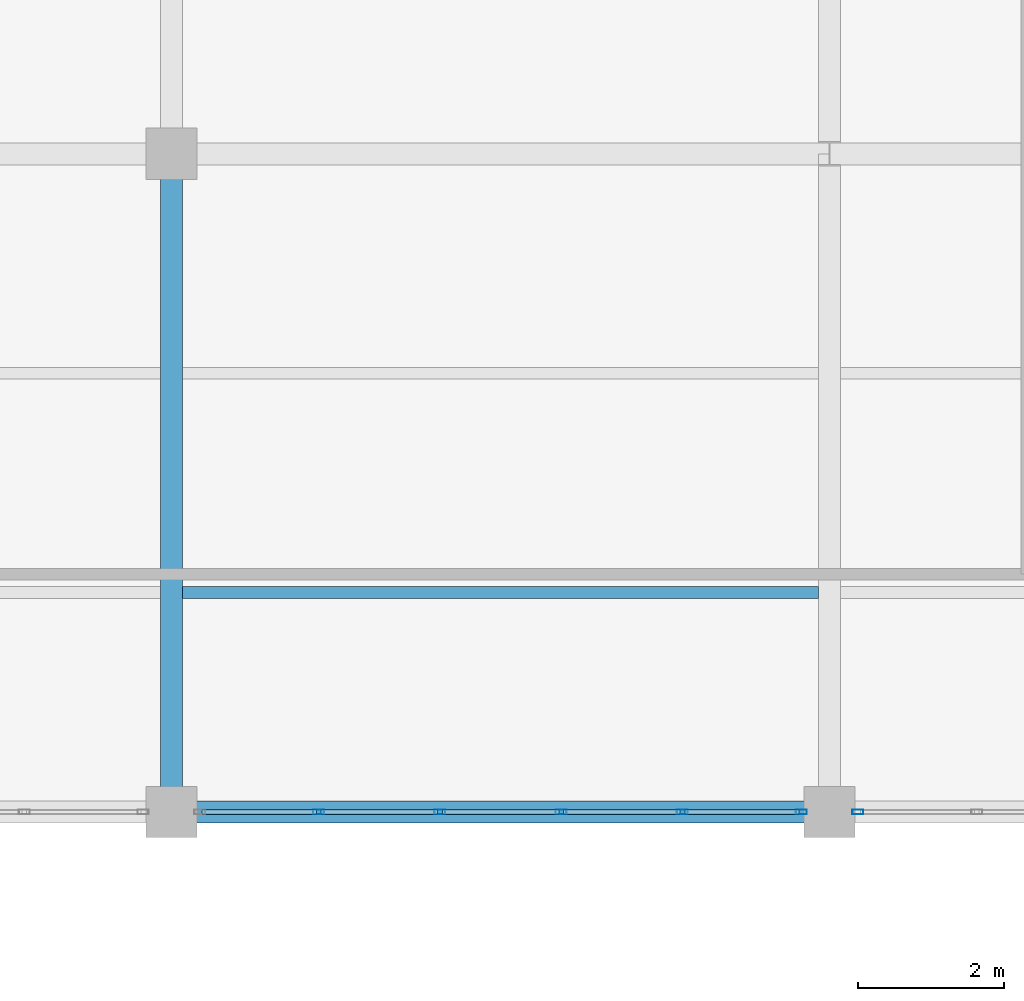
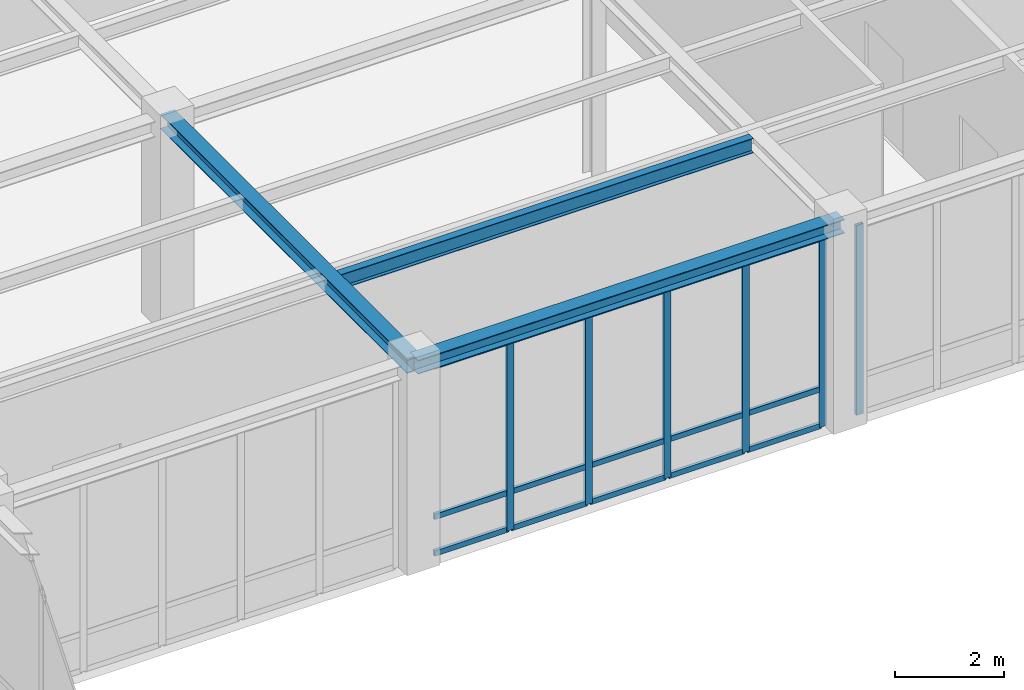
# One storey, part 45 of 98: 21 members, 3 beams, 2 elements without a shape of their own.
"""IFC4 building model written with IfcOpenShell, lengths in metres."""

from ifc_helpers import new_model, si_unit, direction, frame, origin, origin_2d, place, context, subcontext, project, spatial, hollow_rectangle, i_section, extrude, material, material_profile, profile_set, type_object, element, aggregate, save


model = new_model("IFC4")

# Units and contexts
model_context = context("Model", 3, precision=1e-05, world=origin(), true_north=direction((0.0, 1.0)))
body_context = subcontext(model_context, "Body", "Model", "MODEL_VIEW")
ifc_project = project(units=[si_unit("LENGTHUNIT", "METRE"), si_unit("AREAUNIT", "SQUARE_METRE"), si_unit("VOLUMEUNIT", "CUBIC_METRE"), si_unit("PLANEANGLEUNIT", "RADIAN"), si_unit("MASSUNIT", "GRAM", prefix="KILO")], contexts=[model_context])

# Site, building, storey
site_placement = place(None, origin())
site = spatial("IfcSite", under=ifc_project, at=site_placement, CompositionType="ELEMENT")
building_placement = place(site_placement, origin())
building = spatial("IfcBuilding", under=site, at=building_placement, Name="Lykobir Media Centre", CompositionType="ELEMENT")
storey_placement = place(building_placement, frame((0.0, 0.0, 10.199951171875)))
storey = spatial("IfcBuildingStorey", under=building, at=storey_placement, Name="L02", CompositionType="ELEMENT", Elevation=10.199951171875)

# Beam
ifc_material_1 = material(Name="Steel S355", Category="steel")
ifc_material_profile_1 = material_profile(ifc_material_1, i_section(OverallWidth=0.300048828125, OverallDepth=0.330078125, WebThickness=0.009521484375, FlangeThickness=0.0166015625, at=origin_2d()), Name="HEA 340")
ifc_profile_set_1 = profile_set([ifc_material_profile_1], Name="Steel S355")
beam_type_1 = type_object("IfcBeamType", Name="BM-HEA340", PredefinedType="BEAM", material=ifc_profile_set_1)
beam_1_placement = place(storey_placement, frame((108.0, 72.0, 4.39501953125), z_axis=(0.0, 1.0, 0.0), x_axis=(-1.0, 0.0, 0.0)))
element("IfcBeam", 1, at=beam_1_placement, inside=storey, type_object=beam_type_1, Name="Beam BM-L02-1080-0720-1080-0810-1460", PredefinedType="BEAM", context=body_context, shape_type="SweptSolid", body=[
    extrude(i_section(OverallWidth=0.300048828125, OverallDepth=0.330078125, WebThickness=0.009521484375, FlangeThickness=0.0166015625, at=origin_2d()), origin(), (0.0, 0.0, 1.0), 9.0),
])

# Curtain wall, members
ifc_material_2 = material(Name="Anodized Aluminium AW-6060", Category="aluminium")
curtain_wall_type = type_object("IfcCurtainWallType", Name="CW-COURT-A", PredefinedType="NOTDEFINED", material=ifc_material_2)
curtain_wall_1_placement = place(storey_placement, origin())
curtain_wall_1 = element("IfcCurtainWall", 2, at=curtain_wall_1_placement, inside=storey, type_object=curtain_wall_type, Name="Curtain wall CW2-L02-0109", PredefinedType="NOTDEFINED")
ifc_material_profile_2 = material_profile(ifc_material_2, hollow_rectangle(XDim=0.06494140625, YDim=0.14990234375, WallThickness=0.00341796875, at=origin_2d()), Name="ALU MULLION 65x150")
ifc_profile_set_2 = profile_set([ifc_material_profile_2], Name="Anodized Aluminium AW-6060")
member_type_1 = type_object("IfcMemberType", Name="CWM-150", PredefinedType="MULLION", material=ifc_profile_set_2)
member_1_placement = place(storey_placement, frame((116.612548828125, 72.0, 0.0), z_axis=(0.0, 0.0, 1.0), x_axis=(0.0, -1.0, 0.0)))
member_1 = element("IfcMember", 3, at=member_1_placement, type_object=member_type_1, Name="CW2-L02-0109 mullion 1", PredefinedType="MULLION", context=body_context, shape_type="SweptSolid", body=[
    extrude(hollow_rectangle(XDim=0.06494140625, YDim=0.14990234375, WallThickness=0.00341796875, at=origin_2d()), origin(), (0.0, 0.0, 1.0), 4.235107421875),
])
member_2_placement = place(storey_placement, frame((114.987060546875, 72.0, 0.0), z_axis=(0.0, 0.0, 1.0), x_axis=(0.0, -1.0, 0.0)))
member_2 = element("IfcMember", 4, at=member_2_placement, type_object=member_type_1, Name="CW2-L02-0109 mullion 2", PredefinedType="MULLION", context=body_context, shape_type="SweptSolid", body=[
    extrude(hollow_rectangle(XDim=0.06494140625, YDim=0.14990234375, WallThickness=0.00341796875, at=origin_2d()), origin(), (0.0, 0.0, 1.0), 4.235107421875),
])
member_3_placement = place(storey_placement, frame((113.3291015625, 72.0, 0.0), z_axis=(0.0, 0.0, 1.0), x_axis=(0.0, -1.0, 0.0)))
member_3 = element("IfcMember", 5, at=member_3_placement, type_object=member_type_1, Name="CW2-L02-0109 mullion 3", PredefinedType="MULLION", context=body_context, shape_type="SweptSolid", body=[
    extrude(hollow_rectangle(XDim=0.06494140625, YDim=0.14990234375, WallThickness=0.00341796875, at=origin_2d()), origin(), (0.0, 0.0, 1.0), 4.235107421875),
])
member_4_placement = place(storey_placement, frame((111.6708984375, 72.0, 0.0), z_axis=(0.0, 0.0, 1.0), x_axis=(0.0, -1.0, 0.0)))
member_4 = element("IfcMember", 6, at=member_4_placement, type_object=member_type_1, Name="CW2-L02-0109 mullion 4", PredefinedType="MULLION", context=body_context, shape_type="SweptSolid", body=[
    extrude(hollow_rectangle(XDim=0.06494140625, YDim=0.14990234375, WallThickness=0.00341796875, at=origin_2d()), origin(), (0.0, 0.0, 1.0), 4.235107421875),
])
member_5_placement = place(storey_placement, frame((110.012939453125, 72.0, 0.0), z_axis=(0.0, 0.0, 1.0), x_axis=(0.0, -1.0, 0.0)))
member_5 = element("IfcMember", 7, at=member_5_placement, type_object=member_type_1, Name="CW2-L02-0109 mullion 5", PredefinedType="MULLION", context=body_context, shape_type="SweptSolid", body=[
    extrude(hollow_rectangle(XDim=0.06494140625, YDim=0.14990234375, WallThickness=0.00341796875, at=origin_2d()), origin(), (0.0, 0.0, 1.0), 4.235107421875),
])

# Curtain wall, member
curtain_wall_2_placement = place(storey_placement, origin())
curtain_wall_2 = element("IfcCurtainWall", 8, at=curtain_wall_2_placement, inside=storey, type_object=curtain_wall_type, Name="Curtain wall CW2-L02-0110", PredefinedType="NOTDEFINED")
member_6_placement = place(storey_placement, frame((117.387451171875, 72.0, 0.0), z_axis=(0.0, 0.0, 1.0), x_axis=(0.0, -1.0, 0.0)))
member_6 = element("IfcMember", 9, at=member_6_placement, type_object=member_type_1, Name="CW2-L02-0110 mullion 6", PredefinedType="MULLION", context=body_context, shape_type="SweptSolid", body=[
    extrude(hollow_rectangle(XDim=0.06494140625, YDim=0.14990234375, WallThickness=0.00341796875, at=origin_2d()), origin(), (0.0, 0.0, 1.0), 4.235107421875),
])
aggregate(curtain_wall_2, [member_6])

# Member
ifc_material_profile_3 = material_profile(ifc_material_2, hollow_rectangle(XDim=0.06494140625, YDim=0.1201171875, WallThickness=0.0029296875, at=origin_2d()), Name="ALU TRANSOM 65x120")
ifc_profile_set_3 = profile_set([ifc_material_profile_3], Name="Anodized Aluminium AW-6060")
member_type_2 = type_object("IfcMemberType", Name="CWT-120", PredefinedType="USERDEFINED", material=ifc_profile_set_3)
member_7_placement = place(storey_placement, frame((116.580078125, 72.0, 0.032470703125), z_axis=(-1.0, 0.0, 0.0), x_axis=(0.0, -1.0, 0.0)))
member_7 = element("IfcMember", 10, at=member_7_placement, type_object=member_type_2, Name="CW2-L02-0109 transom 1.1", ObjectType="TRANSOM", PredefinedType="USERDEFINED", context=body_context, shape_type="SweptSolid", body=[
    extrude(hollow_rectangle(XDim=0.06494140625, YDim=0.1201171875, WallThickness=0.0029296875, at=origin_2d()), origin(), (0.0, 0.0, 1.0), 1.560546875),
])

member_8_placement = place(storey_placement, frame((116.580078125, 72.0, 0.85009765625), z_axis=(-1.0, 0.0, 0.0), x_axis=(0.0, -1.0, 0.0)))
member_8 = element("IfcMember", 11, at=member_8_placement, type_object=member_type_2, Name="CW2-L02-0109 transom 1.2", ObjectType="TRANSOM", PredefinedType="USERDEFINED", context=body_context, shape_type="SweptSolid", body=[
    extrude(hollow_rectangle(XDim=0.06494140625, YDim=0.1201171875, WallThickness=0.0029296875, at=origin_2d()), origin(), (0.0, 0.0, 1.0), 1.560546875),
])

member_9_placement = place(storey_placement, frame((116.580078125, 72.0, 4.20263671875), z_axis=(-1.0, 0.0, 0.0), x_axis=(0.0, -1.0, 0.0)))
member_9 = element("IfcMember", 12, at=member_9_placement, type_object=member_type_2, Name="CW2-L02-0109 transom 1.3", ObjectType="TRANSOM", PredefinedType="USERDEFINED", context=body_context, shape_type="SweptSolid", body=[
    extrude(hollow_rectangle(XDim=0.06494140625, YDim=0.1201171875, WallThickness=0.0029296875, at=origin_2d()), origin(), (0.0, 0.0, 1.0), 1.560546875),
])

member_10_placement = place(storey_placement, frame((114.95458984375, 72.0, 0.032470703125), z_axis=(-1.0, 0.0, 0.0), x_axis=(0.0, -1.0, 0.0)))
member_10 = element("IfcMember", 13, at=member_10_placement, type_object=member_type_2, Name="CW2-L02-0109 transom 2.1", ObjectType="TRANSOM", PredefinedType="USERDEFINED", context=body_context, shape_type="SweptSolid", body=[
    extrude(hollow_rectangle(XDim=0.06494140625, YDim=0.1201171875, WallThickness=0.0029296875, at=origin_2d()), origin(), (0.0, 0.0, 1.0), 1.593017578125),
])

member_11_placement = place(storey_placement, frame((114.95458984375, 72.0, 0.85009765625), z_axis=(-1.0, 0.0, 0.0), x_axis=(0.0, -1.0, 0.0)))
member_11 = element("IfcMember", 14, at=member_11_placement, type_object=member_type_2, Name="CW2-L02-0109 transom 2.2", ObjectType="TRANSOM", PredefinedType="USERDEFINED", context=body_context, shape_type="SweptSolid", body=[
    extrude(hollow_rectangle(XDim=0.06494140625, YDim=0.1201171875, WallThickness=0.0029296875, at=origin_2d()), origin(), (0.0, 0.0, 1.0), 1.593017578125),
])

member_12_placement = place(storey_placement, frame((114.95458984375, 72.0, 4.20263671875), z_axis=(-1.0, 0.0, 0.0), x_axis=(0.0, -1.0, 0.0)))
member_12 = element("IfcMember", 15, at=member_12_placement, type_object=member_type_2, Name="CW2-L02-0109 transom 2.3", ObjectType="TRANSOM", PredefinedType="USERDEFINED", context=body_context, shape_type="SweptSolid", body=[
    extrude(hollow_rectangle(XDim=0.06494140625, YDim=0.1201171875, WallThickness=0.0029296875, at=origin_2d()), origin(), (0.0, 0.0, 1.0), 1.593017578125),
])

member_13_placement = place(storey_placement, frame((113.29638671875, 72.0, 0.032470703125), z_axis=(-1.0, 0.0, 0.0), x_axis=(0.0, -1.0, 0.0)))
member_13 = element("IfcMember", 16, at=member_13_placement, type_object=member_type_2, Name="CW2-L02-0109 transom 3.1", ObjectType="TRANSOM", PredefinedType="USERDEFINED", context=body_context, shape_type="SweptSolid", body=[
    extrude(hollow_rectangle(XDim=0.06494140625, YDim=0.1201171875, WallThickness=0.0029296875, at=origin_2d()), origin(), (0.0, 0.0, 1.0), 1.5927734375),
])

member_14_placement = place(storey_placement, frame((113.29638671875, 72.0, 0.85009765625), z_axis=(-1.0, 0.0, 0.0), x_axis=(0.0, -1.0, 0.0)))
member_14 = element("IfcMember", 17, at=member_14_placement, type_object=member_type_2, Name="CW2-L02-0109 transom 3.2", ObjectType="TRANSOM", PredefinedType="USERDEFINED", context=body_context, shape_type="SweptSolid", body=[
    extrude(hollow_rectangle(XDim=0.06494140625, YDim=0.1201171875, WallThickness=0.0029296875, at=origin_2d()), origin(), (0.0, 0.0, 1.0), 1.5927734375),
])

member_15_placement = place(storey_placement, frame((113.29638671875, 72.0, 4.20263671875), z_axis=(-1.0, 0.0, 0.0), x_axis=(0.0, -1.0, 0.0)))
member_15 = element("IfcMember", 18, at=member_15_placement, type_object=member_type_2, Name="CW2-L02-0109 transom 3.3", ObjectType="TRANSOM", PredefinedType="USERDEFINED", context=body_context, shape_type="SweptSolid", body=[
    extrude(hollow_rectangle(XDim=0.06494140625, YDim=0.1201171875, WallThickness=0.0029296875, at=origin_2d()), origin(), (0.0, 0.0, 1.0), 1.5927734375),
])

member_16_placement = place(storey_placement, frame((111.638427734375, 72.0, 0.032470703125), z_axis=(-1.0, 0.0, 0.0), x_axis=(0.0, -1.0, 0.0)))
member_16 = element("IfcMember", 19, at=member_16_placement, type_object=member_type_2, Name="CW2-L02-0109 transom 4.1", ObjectType="TRANSOM", PredefinedType="USERDEFINED", context=body_context, shape_type="SweptSolid", body=[
    extrude(hollow_rectangle(XDim=0.06494140625, YDim=0.1201171875, WallThickness=0.0029296875, at=origin_2d()), origin(), (0.0, 0.0, 1.0), 1.593017578125),
])

member_17_placement = place(storey_placement, frame((111.638427734375, 72.0, 0.85009765625), z_axis=(-1.0, 0.0, 0.0), x_axis=(0.0, -1.0, 0.0)))
member_17 = element("IfcMember", 20, at=member_17_placement, type_object=member_type_2, Name="CW2-L02-0109 transom 4.2", ObjectType="TRANSOM", PredefinedType="USERDEFINED", context=body_context, shape_type="SweptSolid", body=[
    extrude(hollow_rectangle(XDim=0.06494140625, YDim=0.1201171875, WallThickness=0.0029296875, at=origin_2d()), origin(), (0.0, 0.0, 1.0), 1.593017578125),
])

member_18_placement = place(storey_placement, frame((111.638427734375, 72.0, 4.20263671875), z_axis=(-1.0, 0.0, 0.0), x_axis=(0.0, -1.0, 0.0)))
member_18 = element("IfcMember", 21, at=member_18_placement, type_object=member_type_2, Name="CW2-L02-0109 transom 4.3", ObjectType="TRANSOM", PredefinedType="USERDEFINED", context=body_context, shape_type="SweptSolid", body=[
    extrude(hollow_rectangle(XDim=0.06494140625, YDim=0.1201171875, WallThickness=0.0029296875, at=origin_2d()), origin(), (0.0, 0.0, 1.0), 1.593017578125),
])

member_19_placement = place(storey_placement, frame((109.98046875, 72.0, 0.032470703125), z_axis=(-1.0, 0.0, 0.0), x_axis=(0.0, -1.0, 0.0)))
member_19 = element("IfcMember", 22, at=member_19_placement, type_object=member_type_2, Name="CW2-L02-0109 transom 5.1", ObjectType="TRANSOM", PredefinedType="USERDEFINED", context=body_context, shape_type="SweptSolid", body=[
    extrude(hollow_rectangle(XDim=0.06494140625, YDim=0.1201171875, WallThickness=0.0029296875, at=origin_2d()), origin(), (0.0, 0.0, 1.0), 1.560546875),
])

member_20_placement = place(storey_placement, frame((109.98046875, 72.0, 0.85009765625), z_axis=(-1.0, 0.0, 0.0), x_axis=(0.0, -1.0, 0.0)))
member_20 = element("IfcMember", 23, at=member_20_placement, type_object=member_type_2, Name="CW2-L02-0109 transom 5.2", ObjectType="TRANSOM", PredefinedType="USERDEFINED", context=body_context, shape_type="SweptSolid", body=[
    extrude(hollow_rectangle(XDim=0.06494140625, YDim=0.1201171875, WallThickness=0.0029296875, at=origin_2d()), origin(), (0.0, 0.0, 1.0), 1.560546875),
])

member_21_placement = place(storey_placement, frame((109.98046875, 72.0, 4.20263671875), z_axis=(-1.0, 0.0, 0.0), x_axis=(0.0, -1.0, 0.0)))
member_21 = element("IfcMember", 24, at=member_21_placement, type_object=member_type_2, Name="CW2-L02-0109 transom 5.3", ObjectType="TRANSOM", PredefinedType="USERDEFINED", context=body_context, shape_type="SweptSolid", body=[
    extrude(hollow_rectangle(XDim=0.06494140625, YDim=0.1201171875, WallThickness=0.0029296875, at=origin_2d()), origin(), (0.0, 0.0, 1.0), 1.560546875),
])

aggregate(curtain_wall_1, [member_1, member_2, member_3, member_4, member_5, member_7, member_8, member_9, member_10, member_11, member_12, member_13, member_14, member_15, member_16, member_17, member_18, member_19, member_20, member_21])

# Beams
ifc_material_profile_4 = material_profile(ifc_material_1, i_section(OverallWidth=0.159912109375, OverallDepth=0.330078125, WebThickness=0.007568359375, FlangeThickness=0.011474609375, at=origin_2d()), Name="IPE 330")
ifc_profile_set_4 = profile_set([ifc_material_profile_4], Name="Steel S355")
beam_type_2 = type_object("IfcBeamType", Name="JS-IPE330", PredefinedType="JOIST", material=ifc_profile_set_4)
beam_2_placement = place(storey_placement, frame((108.14990234375, 75.0, 4.39501953125), z_axis=(1.0, 0.0, 0.0), x_axis=(0.0, 1.0, 0.0)))
element("IfcBeam", 25, at=beam_2_placement, inside=storey, type_object=beam_type_2, Name="Beam BM-L02-1082-0750-1168-0750-1460", PredefinedType="JOIST", context=body_context, shape_type="SweptSolid", body=[
    extrude(i_section(OverallWidth=0.159912109375, OverallDepth=0.330078125, WebThickness=0.007568359375, FlangeThickness=0.011474609375, at=origin_2d()), origin(), (0.0, 0.0, 1.0), 8.7001953125),
])
ifc_material_profile_5 = material_profile(ifc_material_1, i_section(OverallWidth=0.300048828125, OverallDepth=0.31005859375, WebThickness=0.009033203125, FlangeThickness=0.015380859375, at=origin_2d()), Name="HEA 320")
ifc_profile_set_5 = profile_set([ifc_material_profile_5], Name="Steel S355")
beam_type_3 = type_object("IfcBeamType", Name="SP-HEA320", PredefinedType="SPANDREL", material=ifc_profile_set_5)
beam_3_placement = place(storey_placement, frame((108.0, 72.0, 4.405029296875), z_axis=(1.0, 0.0, 0.0), x_axis=(0.0, 1.0, 0.0)))
element("IfcBeam", 26, at=beam_3_placement, inside=storey, type_object=beam_type_3, Name="Beam BM-L02-1080-0720-1170-0720-1460", PredefinedType="SPANDREL", context=body_context, shape_type="SweptSolid", body=[
    extrude(i_section(OverallWidth=0.300048828125, OverallDepth=0.31005859375, WebThickness=0.009033203125, FlangeThickness=0.015380859375, at=origin_2d()), origin(), (0.0, 0.0, 1.0), 9.0),
])

save(model, "model.ifc")
